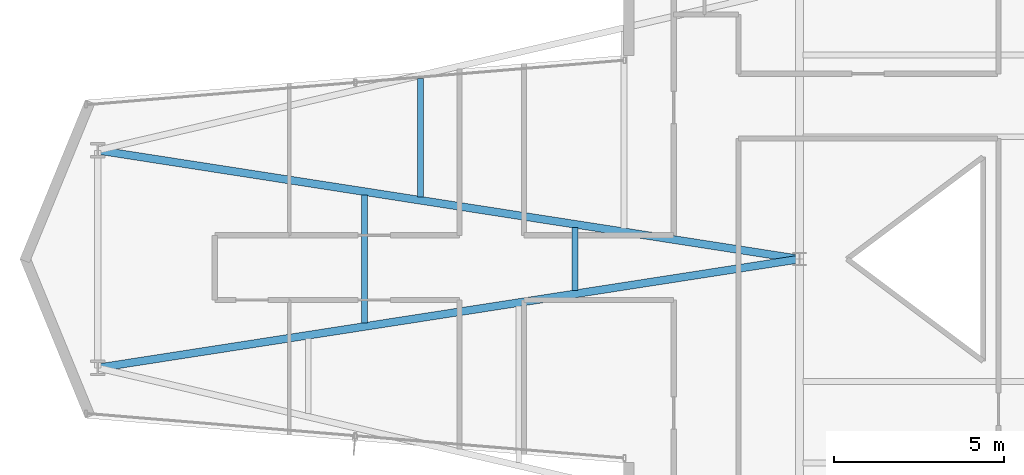
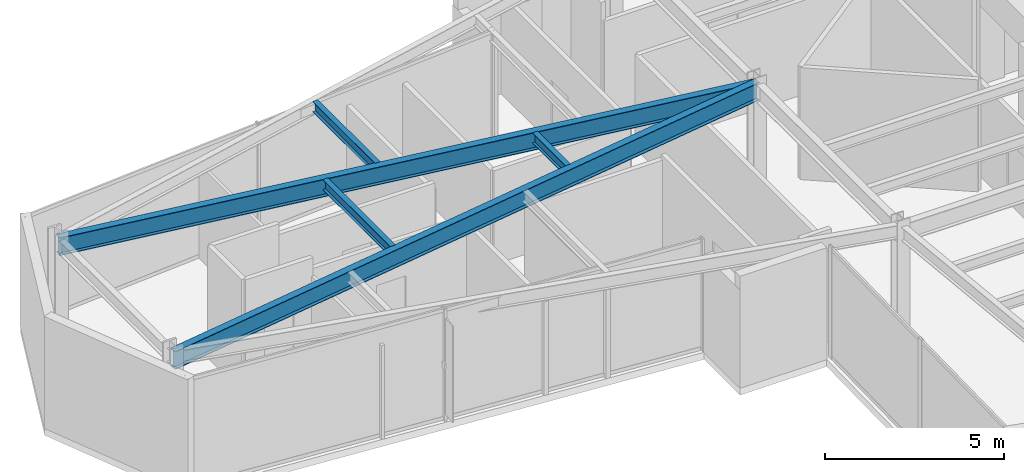
# One storey, part 7 of 25: 5 beams.
"""IFC4 building model written with IfcOpenShell, lengths in metres."""

from ifc_helpers import new_model, si_unit, direction, frame, origin, origin_2d, place, context, subcontext, project, spatial, i_section, extrude, material, material_profile, profile_set, type_object, element, save


model = new_model("IFC4")

# Units and contexts
model_context = context("Model", 3, precision=1e-05, world=origin(), true_north=direction((0.0, 1.0)))
body_context = subcontext(model_context, "Body", "Model", "MODEL_VIEW")
ifc_project = project(units=[si_unit("LENGTHUNIT", "METRE"), si_unit("AREAUNIT", "SQUARE_METRE"), si_unit("VOLUMEUNIT", "CUBIC_METRE"), si_unit("PLANEANGLEUNIT", "RADIAN"), si_unit("MASSUNIT", "GRAM", prefix="KILO")], contexts=[model_context])

# Site, building, storey
site_placement = place(None, origin())
site = spatial("IfcSite", under=ifc_project, at=site_placement, CompositionType="ELEMENT")
building_placement = place(site_placement, origin())
building = spatial("IfcBuilding", under=site, at=building_placement, Name="Veymaron Broadcast Tower", CompositionType="ELEMENT")
storey_placement = place(building_placement, frame((0.0, 0.0, 120.89990234375)))
storey = spatial("IfcBuildingStorey", under=building, at=storey_placement, Name="L27", CompositionType="ELEMENT", Elevation=120.89990234375)

# Beams
ifc_material = material(Name="Structural steel ASTM A992 Gr 50", Category="steel")
ifc_material_profile_1 = material_profile(ifc_material, i_section(OverallWidth=0.22802734375, OverallDepth=0.60791015625, WebThickness=0.01123046875, FlangeThickness=0.017333984375, at=origin_2d()), Name="W610X113")
ifc_profile_set_1 = profile_set([ifc_material_profile_1], Name="Structural steel ASTM A992 Gr 50")
beam_type_1 = type_object("IfcBeamType", Name="BM-FG2", PredefinedType="BEAM", material=ifc_profile_set_1)
for number, where, z_axis, x_axis, name in (
    (1, (10.56005859375, 20.800048828125, 3.506103515625), (0.988194140861, 0.15320685353, 0.0), (-0.15320685353, 0.988194140861, 0.0), "L27 primary structural floor girder"),
    (2, (10.56005859375, 27.199951171875, 3.506103515625), (0.988194140861, -0.15320685353, 0.0), (0.15320685353, 0.988194140861, 0.0), "L27 primary structural floor girder"),
):
    element("IfcBeam", number, at=place(storey_placement, frame(where, z_axis=z_axis, x_axis=x_axis)), inside=storey, type_object=beam_type_1, Name=name, PredefinedType="BEAM", context=body_context, shape_type="SweptSolid", body=[
        extrude(i_section(OverallWidth=0.22802734375, OverallDepth=0.60791015625, WebThickness=0.01123046875, FlangeThickness=0.017333984375, at=origin_2d()), origin(), (0.0, 0.0, 1.0), 20.886474609375),
    ])
ifc_material_profile_2 = material_profile(ifc_material, i_section(OverallWidth=0.1708984375, OverallDepth=0.35498046875, WebThickness=0.007080078125, FlangeThickness=0.01171875, at=origin_2d()), Name="W360X51")
ifc_profile_set_2 = profile_set([ifc_material_profile_2], Name="Structural steel ASTM A992 Gr 50")
beam_type_2 = type_object("IfcBeamType", Name="BM-JS2", PredefinedType="JOIST", material=ifc_profile_set_2)
beam_1_placement = place(storey_placement, frame((18.4033203125, 22.115966796875, 3.632568359375), z_axis=(0.0, 1.0, 0.0), x_axis=(-1.0, 0.0, 0.0)))
element("IfcBeam", 3, at=beam_1_placement, inside=storey, type_object=beam_type_2, Name="L27 Arm-A secondary joist 1M", PredefinedType="JOIST", context=body_context, shape_type="SweptSolid", body=[
    extrude(i_section(OverallWidth=0.1708984375, OverallDepth=0.35498046875, WebThickness=0.007080078125, FlangeThickness=0.01171875, at=origin_2d()), origin(), (0.0, 0.0, 1.0), 3.76806640625),
])
beam_2_placement = place(storey_placement, frame((20.054443359375, 25.827880859375, 3.632568359375), z_axis=(0.0, 1.0, 0.0), x_axis=(-1.0, 0.0, 0.0)))
element("IfcBeam", 4, at=beam_2_placement, inside=storey, type_object=beam_type_2, Name="L27 Arm-A secondary joist 1N", PredefinedType="JOIST", context=body_context, shape_type="SweptSolid", body=[
    extrude(i_section(OverallWidth=0.1708984375, OverallDepth=0.35498046875, WebThickness=0.007080078125, FlangeThickness=0.01171875, at=origin_2d()), origin(), (0.0, 0.0, 1.0), 3.480224609375),
])
beam_3_placement = place(storey_placement, frame((24.59521484375, 23.075927734375, 3.632568359375), z_axis=(0.0, 1.0, 0.0), x_axis=(-1.0, 0.0, 0.0)))
element("IfcBeam", 5, at=beam_3_placement, inside=storey, type_object=beam_type_2, Name="L27 Arm-A secondary joist 2M", PredefinedType="JOIST", context=body_context, shape_type="SweptSolid", body=[
    extrude(i_section(OverallWidth=0.1708984375, OverallDepth=0.35498046875, WebThickness=0.007080078125, FlangeThickness=0.01171875, at=origin_2d()), origin(), (0.0, 0.0, 1.0), 1.84814453125),
])

save(model, "model.ifc")
